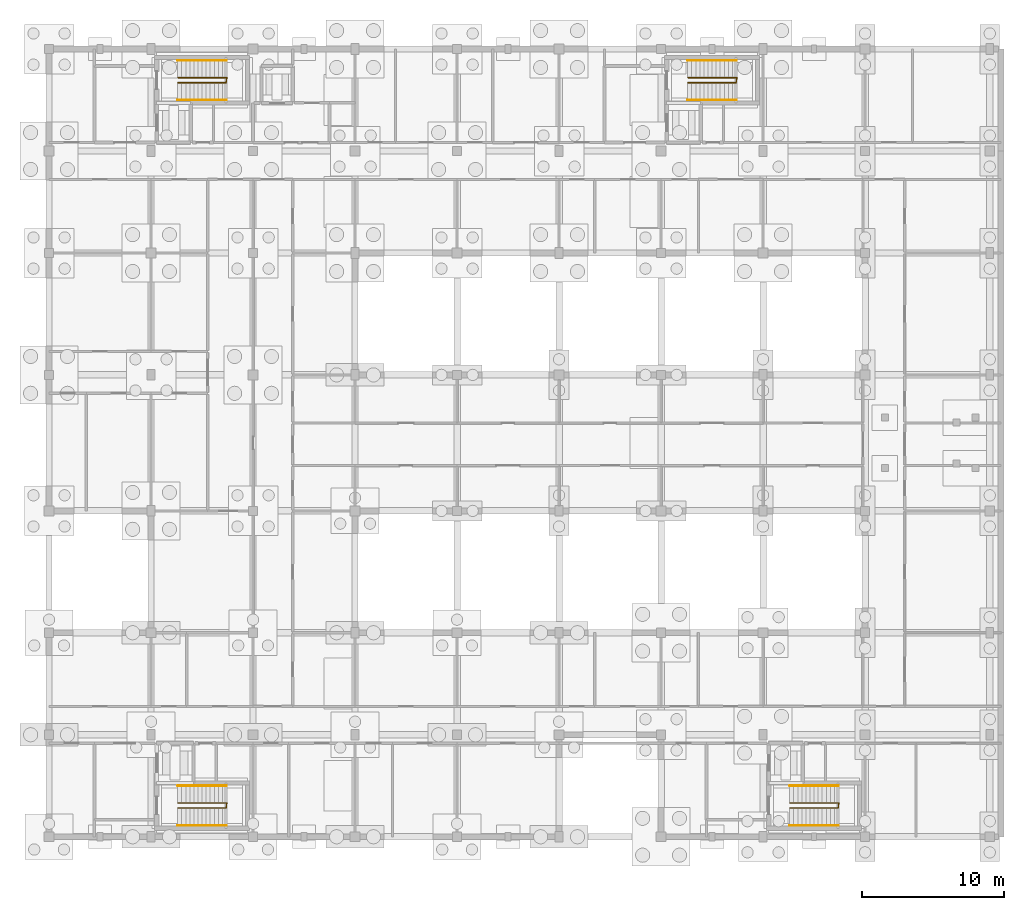
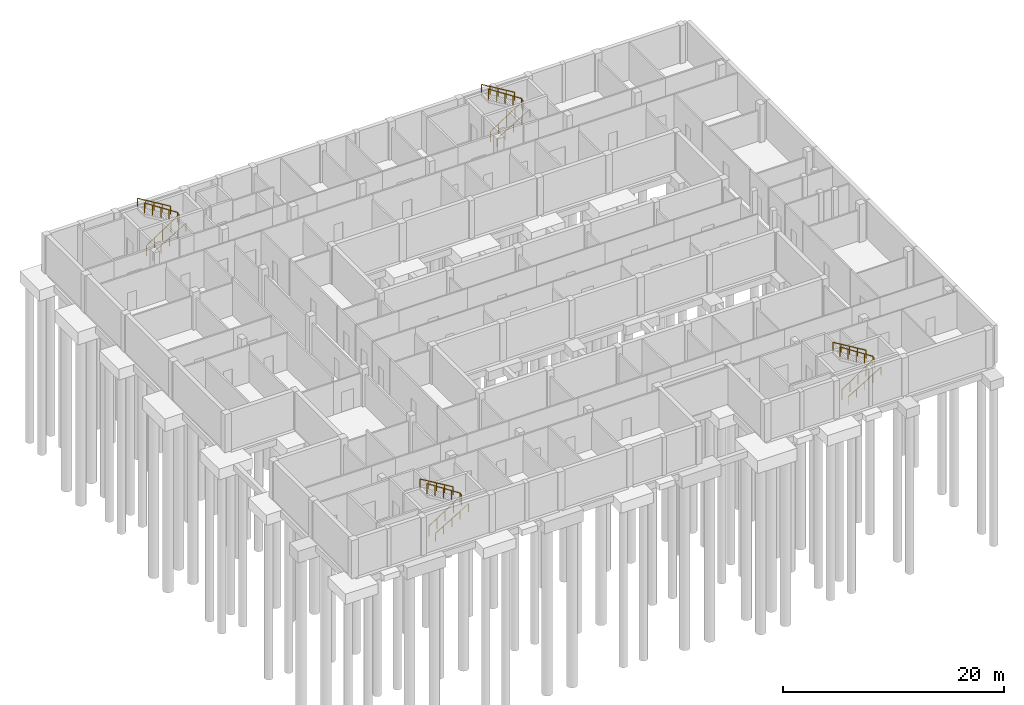
# One storey, part 16 of 17: 12 railings.
"""IFC4 building model written with IfcOpenShell, lengths in metres."""

import ifcopenshell
import ifcopenshell.guid

model = None  # the IFC model being written
_history = None  # IfcOwnerHistory: only IFC2X3 demands one
_inside = {}  # id of a spatial element -> (the spatial element, [elements in it])
_under = {}  # id of a project, library or spatial element -> (it, [spatial elements below it])
_declared = {}  # id of a project -> (the project, [libraries it declares])
_typed = {}  # id of a type object -> (the type object, [elements of that type])
_made_of = {}  # id of a material, layer set ... -> (it, [elements and type objects made of it])


def new_model(schema):
    """Start an empty IFC model of exactly this schema.

    Asked for "IFC4X3", IfcOpenShell would pick the latest addendum, in which some entities
    have other attributes; the version numbers below select the first issue.
    IFC2X3 requires an IfcOwnerHistory on every rooted entity: one is made here for all.
    """
    global model, _history
    if schema == "IFC4X3":
        model = ifcopenshell.file(schema_version=(4, 3, 0, 0))
    else:
        model = ifcopenshell.file(schema=schema)
    _inside.clear()
    _under.clear()
    _declared.clear()
    _typed.clear()
    _made_of.clear()
    _history = None
    if model.schema == "IFC2X3":
        org = make("IfcOrganization", Name="unknown")
        user = make(
            "IfcPersonAndOrganization",
            ThePerson=make("IfcPerson", FamilyName="unknown"),
            TheOrganization=org,
        )
        app = make(
            "IfcApplication",
            ApplicationDeveloper=org,
            Version="unknown",
            ApplicationFullName="unknown",
            ApplicationIdentifier="unknown",
        )
        _history = make(
            "IfcOwnerHistory",
            OwningUser=user,
            OwningApplication=app,
            ChangeAction="ADDED",
            CreationDate=0,
        )
    return model


def make(cls, **values):
    """One entity of the class cls with the attributes given. An attribute that is None is left unset."""
    return model.create_entity(
        cls, **{name: value for name, value in values.items() if value is not None}
    )


def rooted(cls, **values):
    """An entity with a GlobalId (a new one), such as an element, a storey or a relation."""
    return make(cls, GlobalId=ifcopenshell.guid.new(), OwnerHistory=_history, **values)


def si_unit(unit_type, name, prefix=None):
    """IfcSIUnit, for example si_unit("LENGTHUNIT", "METRE", prefix="MILLI")."""
    return make("IfcSIUnit", UnitType=unit_type, Prefix=prefix, Name=name)


def assignment(units):
    """IfcUnitAssignment: the units of a project."""
    return None if units is None else make("IfcUnitAssignment", Units=units)


def point(xyz):
    """IfcCartesianPoint."""
    return None if xyz is None else make("IfcCartesianPoint", Coordinates=xyz)


def direction(xyz):
    """IfcDirection."""
    return None if xyz is None else make("IfcDirection", DirectionRatios=xyz)


def frame(location, z_axis=None, x_axis=None):
    """IfcAxis2Placement3D, a coordinate frame: its origin and axes. An axis left out is left unset."""
    return make(
        "IfcAxis2Placement3D",
        Location=point(location),
        Axis=direction(z_axis),
        RefDirection=direction(x_axis),
    )


def frame_2d(location, x_axis=None):
    """IfcAxis2Placement2D, a coordinate frame in the plane: its origin and x axis."""
    return make(
        "IfcAxis2Placement2D", Location=point(location), RefDirection=direction(x_axis)
    )


def origin():
    """The frame at (0, 0, 0) with its axes left unset."""
    return frame((0.0, 0.0, 0.0))


def origin_2d():
    """The frame at (0, 0) in the plane with its x axis left unset."""
    return frame_2d((0.0, 0.0))


def place(relative_to, where):
    """IfcLocalPlacement: puts the frame where relative to a parent placement (None: the world)."""
    return make(
        "IfcLocalPlacement", PlacementRelTo=relative_to, RelativePlacement=where
    )


def context(
    kind, dimensions, precision=None, world=None, true_north=None, identifier=None
):
    """IfcGeometricRepresentationContext, for example the 3D "Model" context."""
    return make(
        "IfcGeometricRepresentationContext",
        ContextIdentifier=identifier,
        ContextType=kind,
        CoordinateSpaceDimension=dimensions,
        Precision=precision,
        WorldCoordinateSystem=world,
        TrueNorth=true_north,
    )


def subcontext(parent, identifier, kind, view, scale=None):
    """IfcGeometricRepresentationSubContext, for example "Body" below "Model"."""
    return make(
        "IfcGeometricRepresentationSubContext",
        ContextIdentifier=identifier,
        ContextType=kind,
        ParentContext=parent,
        TargetScale=scale,
        TargetView=view,
    )


def project(units=None, contexts=None):
    """IfcProject with its units and contexts."""
    return rooted(
        "IfcProject",
        Name="project",
        RepresentationContexts=contexts,
        UnitsInContext=assignment(units),
    )


def spatial(cls, under=None, at=None, **own):
    """A site, building, storey or space (cls), placed at a placement, below another one or the project."""
    s = rooted(cls, ObjectPlacement=at, **own)
    if under is not None:
        _under.setdefault(under.id(), (under, []))[1].append(s)
    return s


def profile(cls, at=None, kind="AREA", **sizes):
    """A parametric profile (cls). Its sizes go by their IFC names, for example OverallWidth=200.0."""
    return make(cls, ProfileType=kind, Position=at, **sizes)


def circle(**sizes):
    """IfcCircleProfileDef."""
    return profile("IfcCircleProfileDef", **sizes)


def extrude(swept, where, along, depth):
    """IfcExtrudedAreaSolid: the profile swept, set in the frame where, extruded along a direction by depth."""
    return make(
        "IfcExtrudedAreaSolid",
        SweptArea=swept,
        Position=where,
        ExtrudedDirection=direction(along),
        Depth=depth,
    )


def shape(context_of_items, identifier, shape_type, items):
    """IfcShapeRepresentation: the items that make up one representation, for example the "Body"."""
    return make(
        "IfcShapeRepresentation",
        ContextOfItems=context_of_items,
        RepresentationIdentifier=identifier,
        RepresentationType=shape_type,
        Items=items,
    )


def material(Name=None, Category=None):
    """IfcMaterial."""
    return make("IfcMaterial", Name=Name, Category=Category)


def made_of(thing, what):
    """Note that an element or type object is made of a material, layer set ...; save() writes the relation."""
    if what is not None:
        _made_of.setdefault(what.id(), (what, []))[1].append(thing)
    return thing


def type_object(cls, material=None, **own):
    """A type object (cls), such as IfcWallType, which elements share."""
    return made_of(rooted(cls, **own), material)


def element(
    cls,
    number,
    at=None,
    inside=None,
    cuts=None,
    type_object=None,
    material=None,
    context=None,
    identifier="Body",
    shape_type=None,
    held_by="IfcProductDefinitionShape",
    body=None,
    shapes=None,
    **own,
):
    """One element of the class cls, such as IfcWall. Its Tag is "e" and its number.

    at: its placement. inside: the storey or other place that contains it. cuts: it is an
    opening in that element (IfcRelVoidsElement). A single representation is given by context,
    identifier, shape_type and body (its items); several are given by shapes. held_by: the class
    of the entity that holds the representations. save() writes the other relations.
    """
    e = rooted(cls, Tag="e%d" % number, ObjectPlacement=at, **own)
    if body is not None:
        shapes = [shape(context, identifier, shape_type, body)]
    if shapes is not None:
        e.Representation = make(held_by, Representations=shapes)
    if inside is not None:
        _inside.setdefault(inside.id(), (inside, []))[1].append(e)
    if cuts is not None:
        rooted(
            "IfcRelVoidsElement", RelatingBuildingElement=cuts, RelatedOpeningElement=e
        )
    if type_object is not None:
        _typed.setdefault(type_object.id(), (type_object, []))[1].append(e)
    return made_of(e, material)


def aggregate(whole, parts):
    """IfcRelAggregates: a whole, such as a stair, and the parts it consists of."""
    return rooted("IfcRelAggregates", RelatingObject=whole, RelatedObjects=parts)


def save(model, path):
    """Write the relations noted so far, then the file.

    IfcRelAggregates (storeys below a building ...), IfcRelContainedInSpatialStructure (elements
    in a storey), IfcRelDefinesByType, IfcRelAssociatesMaterial and IfcRelDeclares: one each for
    every whole, place, type object, material and project.
    """
    for whole, parts in _under.values():
        aggregate(whole, parts)
    for where, things in _inside.values():
        rooted(
            "IfcRelContainedInSpatialStructure",
            RelatedElements=things,
            RelatingStructure=where,
        )
    for kind, things in _typed.values():
        rooted("IfcRelDefinesByType", RelatedObjects=things, RelatingType=kind)
    for what, things in _made_of.values():
        rooted("IfcRelAssociatesMaterial", RelatedObjects=things, RelatingMaterial=what)
    for by, libraries in _declared.values():
        rooted("IfcRelDeclares", RelatingContext=by, RelatedDefinitions=libraries)
    model.write(path)


model = new_model("IFC4")

# Units and contexts
model_context = context("Model", 3, precision=1e-05, world=origin(), true_north=direction((0.0, 1.0)))
body_context = subcontext(model_context, "Body", "Model", "MODEL_VIEW")
ifc_project = project(units=[si_unit("LENGTHUNIT", "METRE"), si_unit("AREAUNIT", "SQUARE_METRE"), si_unit("VOLUMEUNIT", "CUBIC_METRE"), si_unit("PLANEANGLEUNIT", "RADIAN"), si_unit("MASSUNIT", "GRAM", prefix="KILO")], contexts=[model_context])

# Site, building, storey
site_placement = place(None, origin())
site = spatial("IfcSite", under=ifc_project, at=site_placement, CompositionType="ELEMENT")
building_placement = place(site_placement, origin())
building = spatial("IfcBuilding", under=site, at=building_placement, Name="Hawrajan Terrace Health Centre", CompositionType="ELEMENT")
storey_placement = place(building_placement, frame((0.0, 0.0, -4.5)))
storey = spatial("IfcBuildingStorey", under=building, at=storey_placement, Name="B1", CompositionType="ELEMENT", Elevation=-4.5)

# Railings
ifc_material_1 = material(Name="Brushed stainless steel tubular handrail", Category="steel")
railing_type_1 = type_object("IfcRailingType", Name="StairHandrail_900", PredefinedType="HANDRAIL", material=ifc_material_1)
railing_1_placement = place(storey_placement, frame((13.675048828125, 56.199951171875, 0.173095703125)))
element("IfcRailing", 1, at=railing_1_placement, inside=storey, type_object=railing_type_1, Name="Stair handrail ST-1-B1-H1", PredefinedType="HANDRAIL", context=body_context, shape_type="SweptSolid", body=[
    extrude(circle(Radius=0.02392578125, at=origin_2d()), frame((0.024658203125, 0.0, 0.890625), z_axis=(0.856732359591, 0.0, 0.515761247119), x_axis=(0.0, 1.0, 0.0)), (0.0, 0.0, 1.0), 3.96923828125),
    extrude(circle(Radius=0.02099609375, at=origin_2d()), origin(), (0.0, 0.0, 1.0), 0.846923828125),
    extrude(circle(Radius=0.02099609375, at=origin_2d()), frame((0.862548828125, 0.0, 0.519287109375)), (0.0, 0.0, 1.0), 0.846923828125),
    extrude(circle(Radius=0.02099609375, at=origin_2d()), frame((1.72509765625, 0.0, 1.03857421875)), (0.0, 0.0, 1.0), 0.846923828125),
    extrude(circle(Radius=0.02099609375, at=origin_2d()), frame((2.58740234375, 0.0, 1.5576171875)), (0.0, 0.0, 1.0), 0.846923828125),
    extrude(circle(Radius=0.02099609375, at=origin_2d()), frame((3.449951171875, 0.0, 2.076904296875)), (0.0, 0.0, 1.0), 0.846923828125),
])
railing_2_placement = place(storey_placement, frame((17.125, 59.0, 2.423095703125)))
element("IfcRailing", 2, at=railing_2_placement, inside=storey, type_object=railing_type_1, Name="Stair handrail ST-1-B1-H2", PredefinedType="HANDRAIL", context=body_context, shape_type="SweptSolid", body=[
    extrude(circle(Radius=0.02392578125, at=origin_2d()), frame((-0.024658203125, 0.0, 0.890625), z_axis=(-0.856732359591, 0.0, 0.515761247119), x_axis=(0.0, -1.0, 0.0)), (0.0, 0.0, 1.0), 3.96923828125),
    extrude(circle(Radius=0.02099609375, at=origin_2d()), origin(), (0.0, 0.0, 1.0), 0.846923828125),
    extrude(circle(Radius=0.02099609375, at=origin_2d()), frame((-0.862548828125, 0.0, 0.519287109375)), (0.0, 0.0, 1.0), 0.846923828125),
    extrude(circle(Radius=0.02099609375, at=origin_2d()), frame((-1.72509765625, 0.0, 1.03857421875)), (0.0, 0.0, 1.0), 0.846923828125),
    extrude(circle(Radius=0.02099609375, at=origin_2d()), frame((-2.58740234375, 0.0, 1.5576171875)), (0.0, 0.0, 1.0), 0.846923828125),
    extrude(circle(Radius=0.02099609375, at=origin_2d()), frame((-3.449951171875, 0.0, 2.076904296875)), (0.0, 0.0, 1.0), 0.846923828125),
])
railing_3_placement = place(storey_placement, frame((49.675048828125, 56.199951171875, 0.173095703125)))
element("IfcRailing", 3, at=railing_3_placement, inside=storey, type_object=railing_type_1, Name="Stair handrail ST-2-B1-H1", PredefinedType="HANDRAIL", context=body_context, shape_type="SweptSolid", body=[
    extrude(circle(Radius=0.02392578125, at=origin_2d()), frame((0.024658203125, 0.0, 0.890625), z_axis=(0.856732359591, 0.0, 0.515761247119), x_axis=(0.0, 1.0, 0.0)), (0.0, 0.0, 1.0), 3.96923828125),
    extrude(circle(Radius=0.02099609375, at=origin_2d()), origin(), (0.0, 0.0, 1.0), 0.846923828125),
    extrude(circle(Radius=0.02099609375, at=origin_2d()), frame((0.862548828125, 0.0, 0.519287109375)), (0.0, 0.0, 1.0), 0.846923828125),
    extrude(circle(Radius=0.02099609375, at=origin_2d()), frame((1.72509765625, 0.0, 1.03857421875)), (0.0, 0.0, 1.0), 0.846923828125),
    extrude(circle(Radius=0.02099609375, at=origin_2d()), frame((2.58740234375, 0.0, 1.5576171875)), (0.0, 0.0, 1.0), 0.846923828125),
    extrude(circle(Radius=0.02099609375, at=origin_2d()), frame((3.449951171875, 0.0, 2.076904296875)), (0.0, 0.0, 1.0), 0.846923828125),
])
railing_4_placement = place(storey_placement, frame((53.125, 59.0, 2.423095703125)))
element("IfcRailing", 4, at=railing_4_placement, inside=storey, type_object=railing_type_1, Name="Stair handrail ST-2-B1-H2", PredefinedType="HANDRAIL", context=body_context, shape_type="SweptSolid", body=[
    extrude(circle(Radius=0.02392578125, at=origin_2d()), frame((-0.024658203125, 0.0, 0.890625), z_axis=(-0.856732359591, 0.0, 0.515761247119), x_axis=(0.0, -1.0, 0.0)), (0.0, 0.0, 1.0), 3.96923828125),
    extrude(circle(Radius=0.02099609375, at=origin_2d()), origin(), (0.0, 0.0, 1.0), 0.846923828125),
    extrude(circle(Radius=0.02099609375, at=origin_2d()), frame((-0.862548828125, 0.0, 0.519287109375)), (0.0, 0.0, 1.0), 0.846923828125),
    extrude(circle(Radius=0.02099609375, at=origin_2d()), frame((-1.72509765625, 0.0, 1.03857421875)), (0.0, 0.0, 1.0), 0.846923828125),
    extrude(circle(Radius=0.02099609375, at=origin_2d()), frame((-2.58740234375, 0.0, 1.5576171875)), (0.0, 0.0, 1.0), 0.846923828125),
    extrude(circle(Radius=0.02099609375, at=origin_2d()), frame((-3.449951171875, 0.0, 2.076904296875)), (0.0, 0.0, 1.0), 0.846923828125),
])
railing_5_placement = place(storey_placement, frame((13.675048828125, 5.0, 0.173095703125)))
element("IfcRailing", 5, at=railing_5_placement, inside=storey, type_object=railing_type_1, Name="Stair handrail ST-3-B1-H1", PredefinedType="HANDRAIL", context=body_context, shape_type="SweptSolid", body=[
    extrude(circle(Radius=0.02392578125, at=origin_2d()), frame((0.024658203125, 0.0, 0.890625), z_axis=(0.856732359591, 0.0, 0.515761247119), x_axis=(0.0, 1.0, 0.0)), (0.0, 0.0, 1.0), 3.96923828125),
    extrude(circle(Radius=0.02099609375, at=origin_2d()), origin(), (0.0, 0.0, 1.0), 0.846923828125),
    extrude(circle(Radius=0.02099609375, at=origin_2d()), frame((0.862548828125, 0.0, 0.519287109375)), (0.0, 0.0, 1.0), 0.846923828125),
    extrude(circle(Radius=0.02099609375, at=origin_2d()), frame((1.72509765625, 0.0, 1.03857421875)), (0.0, 0.0, 1.0), 0.846923828125),
    extrude(circle(Radius=0.02099609375, at=origin_2d()), frame((2.58740234375, 0.0, 1.5576171875)), (0.0, 0.0, 1.0), 0.846923828125),
    extrude(circle(Radius=0.02099609375, at=origin_2d()), frame((3.449951171875, 0.0, 2.076904296875)), (0.0, 0.0, 1.0), 0.846923828125),
])
railing_6_placement = place(storey_placement, frame((17.125, 7.800048828125, 2.423095703125)))
element("IfcRailing", 6, at=railing_6_placement, inside=storey, type_object=railing_type_1, Name="Stair handrail ST-3-B1-H2", PredefinedType="HANDRAIL", context=body_context, shape_type="SweptSolid", body=[
    extrude(circle(Radius=0.02392578125, at=origin_2d()), frame((-0.024658203125, 0.0, 0.890625), z_axis=(-0.856732359591, 0.0, 0.515761247119), x_axis=(0.0, -1.0, 0.0)), (0.0, 0.0, 1.0), 3.96923828125),
    extrude(circle(Radius=0.02099609375, at=origin_2d()), origin(), (0.0, 0.0, 1.0), 0.846923828125),
    extrude(circle(Radius=0.02099609375, at=origin_2d()), frame((-0.862548828125, 0.0, 0.519287109375)), (0.0, 0.0, 1.0), 0.846923828125),
    extrude(circle(Radius=0.02099609375, at=origin_2d()), frame((-1.72509765625, 0.0, 1.03857421875)), (0.0, 0.0, 1.0), 0.846923828125),
    extrude(circle(Radius=0.02099609375, at=origin_2d()), frame((-2.58740234375, 0.0, 1.5576171875)), (0.0, 0.0, 1.0), 0.846923828125),
    extrude(circle(Radius=0.02099609375, at=origin_2d()), frame((-3.449951171875, 0.0, 2.076904296875)), (0.0, 0.0, 1.0), 0.846923828125),
])
railing_7_placement = place(storey_placement, frame((56.875, 5.0, 0.173095703125)))
element("IfcRailing", 7, at=railing_7_placement, inside=storey, type_object=railing_type_1, Name="Stair handrail ST-4-B1-H1", PredefinedType="HANDRAIL", context=body_context, shape_type="SweptSolid", body=[
    extrude(circle(Radius=0.02392578125, at=origin_2d()), frame((0.024658203125, 0.0, 0.890625), z_axis=(0.856732359591, 0.0, 0.515761247119), x_axis=(0.0, 1.0, 0.0)), (0.0, 0.0, 1.0), 3.96923828125),
    extrude(circle(Radius=0.02099609375, at=origin_2d()), origin(), (0.0, 0.0, 1.0), 0.846923828125),
    extrude(circle(Radius=0.02099609375, at=origin_2d()), frame((0.862548828125, 0.0, 0.519287109375)), (0.0, 0.0, 1.0), 0.846923828125),
    extrude(circle(Radius=0.02099609375, at=origin_2d()), frame((1.72509765625, 0.0, 1.03857421875)), (0.0, 0.0, 1.0), 0.846923828125),
    extrude(circle(Radius=0.02099609375, at=origin_2d()), frame((2.58740234375, 0.0, 1.5576171875)), (0.0, 0.0, 1.0), 0.846923828125),
    extrude(circle(Radius=0.02099609375, at=origin_2d()), frame((3.449951171875, 0.0, 2.076904296875)), (0.0, 0.0, 1.0), 0.846923828125),
])
railing_8_placement = place(storey_placement, frame((60.324951171875, 7.800048828125, 2.423095703125)))
element("IfcRailing", 8, at=railing_8_placement, inside=storey, type_object=railing_type_1, Name="Stair handrail ST-4-B1-H2", PredefinedType="HANDRAIL", context=body_context, shape_type="SweptSolid", body=[
    extrude(circle(Radius=0.02392578125, at=origin_2d()), frame((-0.024658203125, 0.0, 0.890625), z_axis=(-0.856732359591, 0.0, 0.515761247119), x_axis=(0.0, -1.0, 0.0)), (0.0, 0.0, 1.0), 3.96923828125),
    extrude(circle(Radius=0.02099609375, at=origin_2d()), origin(), (0.0, 0.0, 1.0), 0.846923828125),
    extrude(circle(Radius=0.02099609375, at=origin_2d()), frame((-0.862548828125, 0.0, 0.519287109375)), (0.0, 0.0, 1.0), 0.846923828125),
    extrude(circle(Radius=0.02099609375, at=origin_2d()), frame((-1.72509765625, 0.0, 1.03857421875)), (0.0, 0.0, 1.0), 0.846923828125),
    extrude(circle(Radius=0.02099609375, at=origin_2d()), frame((-2.58740234375, 0.0, 1.5576171875)), (0.0, 0.0, 1.0), 0.846923828125),
    extrude(circle(Radius=0.02099609375, at=origin_2d()), frame((-3.449951171875, 0.0, 2.076904296875)), (0.0, 0.0, 1.0), 0.846923828125),
])
ifc_material_2 = material(Name="Painted steel stair well guard", Category="steel")
railing_type_2 = type_object("IfcRailingType", Name="StairWellGuard_1120", PredefinedType="GUARDRAIL", material=ifc_material_2)
railing_9_placement = place(storey_placement, frame((13.699951171875, 57.419921875, 0.0)))
element("IfcRailing", 9, at=railing_9_placement, inside=storey, type_object=railing_type_2, Name="Stair well guard ST-1-B1-G1", PredefinedType="GUARDRAIL", context=body_context, shape_type="SweptSolid", body=[
    extrude(circle(Radius=0.02392578125, at=origin_2d()), frame((0.024169921875, 0.0, 1.112060546875), z_axis=(0.833943147616, 0.0, 0.551850366082), x_axis=(0.0, 1.0, 0.0)), (0.0, 0.0, 1.0), 4.01953125),
    extrude(circle(Radius=0.02392578125, at=origin_2d()), frame((3.404052734375, 0.028564453125, 3.34619140625), z_axis=(0.137000993654, 0.99057091, 0.0), x_axis=(-0.99057091, 0.137000993654, 0.0)), (0.0, 0.0, 1.0), 0.305908203125),
    extrude(circle(Radius=0.02392578125, at=origin_2d()), frame((3.42578125, 0.360107421875, 3.36181640625), z_axis=(-0.837607059222, 0.0, 0.546273204854), x_axis=(0.0, -1.0, 0.0)), (0.0, 0.0, 1.0), 4.06103515625),
    extrude(circle(Radius=0.02099609375, at=origin_2d()), origin(), (0.0, 0.0, 1.0), 1.067138671875),
    extrude(circle(Radius=0.02099609375, at=origin_2d()), frame((0.85009765625, 0.0, 0.5625)), (0.0, 0.0, 1.0), 1.067138671875),
    extrude(circle(Radius=0.02099609375, at=origin_2d()), frame((1.7001953125, 0.0, 1.125)), (0.0, 0.0, 1.0), 1.067138671875),
    extrude(circle(Radius=0.02099609375, at=origin_2d()), frame((2.550048828125, 0.0, 1.6875)), (0.0, 0.0, 1.0), 1.067138671875),
    extrude(circle(Radius=0.02099609375, at=origin_2d()), frame((3.400146484375, 0.0, 2.25)), (0.0, 0.0, 1.0), 1.067138671875),
    extrude(circle(Radius=0.02099609375, at=origin_2d()), frame((3.449951171875, 0.360107421875, 2.25)), (0.0, 0.0, 1.0), 1.067138671875),
    extrude(circle(Radius=0.02099609375, at=origin_2d()), frame((2.58740234375, 0.360107421875, 2.8125)), (0.0, 0.0, 1.0), 1.067138671875),
    extrude(circle(Radius=0.02099609375, at=origin_2d()), frame((1.72509765625, 0.360107421875, 3.375)), (0.0, 0.0, 1.0), 1.067138671875),
    extrude(circle(Radius=0.02099609375, at=origin_2d()), frame((0.862548828125, 0.360107421875, 3.9375)), (0.0, 0.0, 1.0), 1.067138671875),
    extrude(circle(Radius=0.02099609375, at=origin_2d()), frame((0.0, 0.360107421875, 4.5)), (0.0, 0.0, 1.0), 1.067138671875),
])
railing_10_placement = place(storey_placement, frame((49.699951171875, 57.419921875, 0.0)))
element("IfcRailing", 10, at=railing_10_placement, inside=storey, type_object=railing_type_2, Name="Stair well guard ST-2-B1-G1", PredefinedType="GUARDRAIL", context=body_context, shape_type="SweptSolid", body=[
    extrude(circle(Radius=0.02392578125, at=origin_2d()), frame((0.024169921875, 0.0, 1.112060546875), z_axis=(0.833943147616, 0.0, 0.551850366082), x_axis=(0.0, 1.0, 0.0)), (0.0, 0.0, 1.0), 4.01953125),
    extrude(circle(Radius=0.02392578125, at=origin_2d()), frame((3.404052734375, 0.028564453125, 3.34619140625), z_axis=(0.137000993654, 0.99057091, 0.0), x_axis=(-0.99057091, 0.137000993654, 0.0)), (0.0, 0.0, 1.0), 0.305908203125),
    extrude(circle(Radius=0.02392578125, at=origin_2d()), frame((3.42578125, 0.360107421875, 3.36181640625), z_axis=(-0.837607059222, 0.0, 0.546273204854), x_axis=(0.0, -1.0, 0.0)), (0.0, 0.0, 1.0), 4.06103515625),
    extrude(circle(Radius=0.02099609375, at=origin_2d()), origin(), (0.0, 0.0, 1.0), 1.067138671875),
    extrude(circle(Radius=0.02099609375, at=origin_2d()), frame((0.85009765625, 0.0, 0.5625)), (0.0, 0.0, 1.0), 1.067138671875),
    extrude(circle(Radius=0.02099609375, at=origin_2d()), frame((1.7001953125, 0.0, 1.125)), (0.0, 0.0, 1.0), 1.067138671875),
    extrude(circle(Radius=0.02099609375, at=origin_2d()), frame((2.550048828125, 0.0, 1.6875)), (0.0, 0.0, 1.0), 1.067138671875),
    extrude(circle(Radius=0.02099609375, at=origin_2d()), frame((3.400146484375, 0.0, 2.25)), (0.0, 0.0, 1.0), 1.067138671875),
    extrude(circle(Radius=0.02099609375, at=origin_2d()), frame((3.449951171875, 0.360107421875, 2.25)), (0.0, 0.0, 1.0), 1.067138671875),
    extrude(circle(Radius=0.02099609375, at=origin_2d()), frame((2.58740234375, 0.360107421875, 2.8125)), (0.0, 0.0, 1.0), 1.067138671875),
    extrude(circle(Radius=0.02099609375, at=origin_2d()), frame((1.72509765625, 0.360107421875, 3.375)), (0.0, 0.0, 1.0), 1.067138671875),
    extrude(circle(Radius=0.02099609375, at=origin_2d()), frame((0.862548828125, 0.360107421875, 3.9375)), (0.0, 0.0, 1.0), 1.067138671875),
    extrude(circle(Radius=0.02099609375, at=origin_2d()), frame((0.0, 0.360107421875, 4.5)), (0.0, 0.0, 1.0), 1.067138671875),
])
railing_11_placement = place(storey_placement, frame((13.699951171875, 6.219970703125, 0.0)))
element("IfcRailing", 11, at=railing_11_placement, inside=storey, type_object=railing_type_2, Name="Stair well guard ST-3-B1-G1", PredefinedType="GUARDRAIL", context=body_context, shape_type="SweptSolid", body=[
    extrude(circle(Radius=0.02392578125, at=origin_2d()), frame((0.024169921875, 0.0, 1.112060546875), z_axis=(0.833943147616, 0.0, 0.551850366082), x_axis=(0.0, 1.0, 0.0)), (0.0, 0.0, 1.0), 4.01953125),
    extrude(circle(Radius=0.02392578125, at=origin_2d()), frame((3.404052734375, 0.028564453125, 3.34619140625), z_axis=(0.137000993654, 0.99057091, 0.0), x_axis=(-0.99057091, 0.137000993654, 0.0)), (0.0, 0.0, 1.0), 0.305908203125),
    extrude(circle(Radius=0.02392578125, at=origin_2d()), frame((3.42578125, 0.360107421875, 3.36181640625), z_axis=(-0.837607059222, 0.0, 0.546273204854), x_axis=(0.0, -1.0, 0.0)), (0.0, 0.0, 1.0), 4.06103515625),
    extrude(circle(Radius=0.02099609375, at=origin_2d()), origin(), (0.0, 0.0, 1.0), 1.067138671875),
    extrude(circle(Radius=0.02099609375, at=origin_2d()), frame((0.85009765625, 0.0, 0.5625)), (0.0, 0.0, 1.0), 1.067138671875),
    extrude(circle(Radius=0.02099609375, at=origin_2d()), frame((1.7001953125, 0.0, 1.125)), (0.0, 0.0, 1.0), 1.067138671875),
    extrude(circle(Radius=0.02099609375, at=origin_2d()), frame((2.550048828125, 0.0, 1.6875)), (0.0, 0.0, 1.0), 1.067138671875),
    extrude(circle(Radius=0.02099609375, at=origin_2d()), frame((3.400146484375, 0.0, 2.25)), (0.0, 0.0, 1.0), 1.067138671875),
    extrude(circle(Radius=0.02099609375, at=origin_2d()), frame((3.449951171875, 0.360107421875, 2.25)), (0.0, 0.0, 1.0), 1.067138671875),
    extrude(circle(Radius=0.02099609375, at=origin_2d()), frame((2.58740234375, 0.360107421875, 2.8125)), (0.0, 0.0, 1.0), 1.067138671875),
    extrude(circle(Radius=0.02099609375, at=origin_2d()), frame((1.72509765625, 0.360107421875, 3.375)), (0.0, 0.0, 1.0), 1.067138671875),
    extrude(circle(Radius=0.02099609375, at=origin_2d()), frame((0.862548828125, 0.360107421875, 3.9375)), (0.0, 0.0, 1.0), 1.067138671875),
    extrude(circle(Radius=0.02099609375, at=origin_2d()), frame((0.0, 0.360107421875, 4.5)), (0.0, 0.0, 1.0), 1.067138671875),
])
railing_12_placement = place(storey_placement, frame((56.89990234375, 6.219970703125, 0.0)))
element("IfcRailing", 12, at=railing_12_placement, inside=storey, type_object=railing_type_2, Name="Stair well guard ST-4-B1-G1", PredefinedType="GUARDRAIL", context=body_context, shape_type="SweptSolid", body=[
    extrude(circle(Radius=0.02392578125, at=origin_2d()), frame((0.024169921875, 0.0, 1.112060546875), z_axis=(0.833943147616, 0.0, 0.551850366082), x_axis=(0.0, 1.0, 0.0)), (0.0, 0.0, 1.0), 4.01953125),
    extrude(circle(Radius=0.02392578125, at=origin_2d()), frame((3.404052734375, 0.028564453125, 3.34619140625), z_axis=(0.137659871128, 0.990479560557, 0.0), x_axis=(-0.990479560557, 0.137659871128, 0.0)), (0.0, 0.0, 1.0), 0.305908203125),
    extrude(circle(Radius=0.02392578125, at=origin_2d()), frame((3.426025390625, 0.360107421875, 3.36181640625), z_axis=(-0.837624746251, 0.0, 0.546246084167), x_axis=(0.0, -1.0, 0.0)), (0.0, 0.0, 1.0), 4.061279296875),
    extrude(circle(Radius=0.02099609375, at=origin_2d()), origin(), (0.0, 0.0, 1.0), 1.067138671875),
    extrude(circle(Radius=0.02099609375, at=origin_2d()), frame((0.85009765625, 0.0, 0.5625)), (0.0, 0.0, 1.0), 1.067138671875),
    extrude(circle(Radius=0.02099609375, at=origin_2d()), frame((1.7001953125, 0.0, 1.125)), (0.0, 0.0, 1.0), 1.067138671875),
    extrude(circle(Radius=0.02099609375, at=origin_2d()), frame((2.550048828125, 0.0, 1.6875)), (0.0, 0.0, 1.0), 1.067138671875),
    extrude(circle(Radius=0.02099609375, at=origin_2d()), frame((3.400146484375, 0.0, 2.25)), (0.0, 0.0, 1.0), 1.067138671875),
    extrude(circle(Radius=0.02099609375, at=origin_2d()), frame((3.4501953125, 0.360107421875, 2.25)), (0.0, 0.0, 1.0), 1.067138671875),
    extrude(circle(Radius=0.02099609375, at=origin_2d()), frame((2.587646484375, 0.360107421875, 2.8125)), (0.0, 0.0, 1.0), 1.067138671875),
    extrude(circle(Radius=0.02099609375, at=origin_2d()), frame((1.72509765625, 0.360107421875, 3.375)), (0.0, 0.0, 1.0), 1.067138671875),
    extrude(circle(Radius=0.02099609375, at=origin_2d()), frame((0.862548828125, 0.360107421875, 3.9375)), (0.0, 0.0, 1.0), 1.067138671875),
    extrude(circle(Radius=0.02099609375, at=origin_2d()), frame((0.0, 0.360107421875, 4.5)), (0.0, 0.0, 1.0), 1.067138671875),
])

save(model, "model.ifc")
